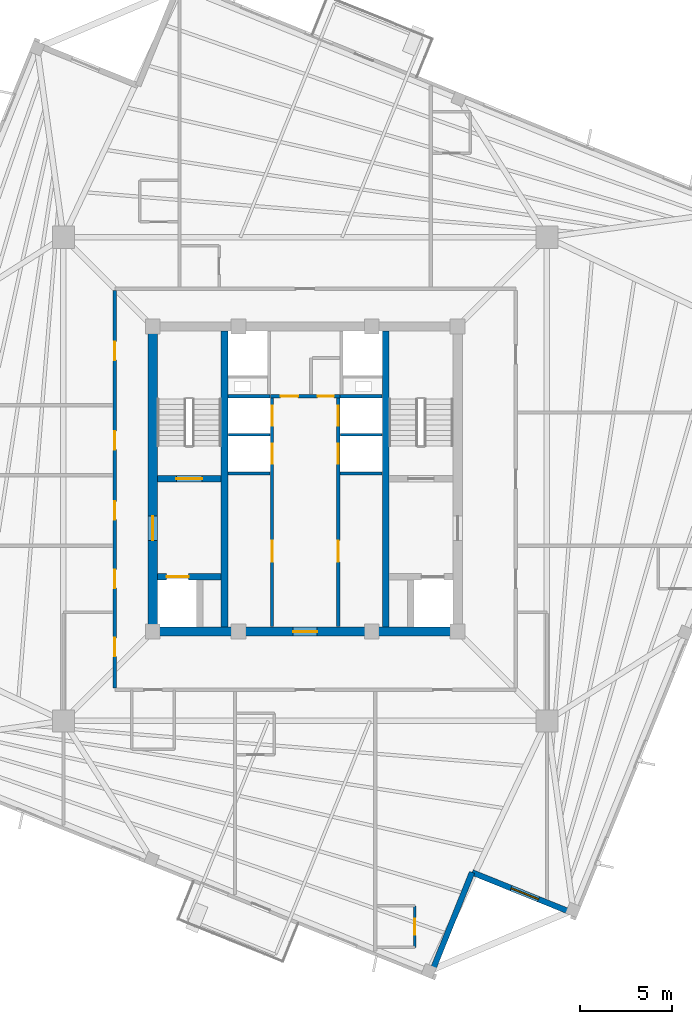
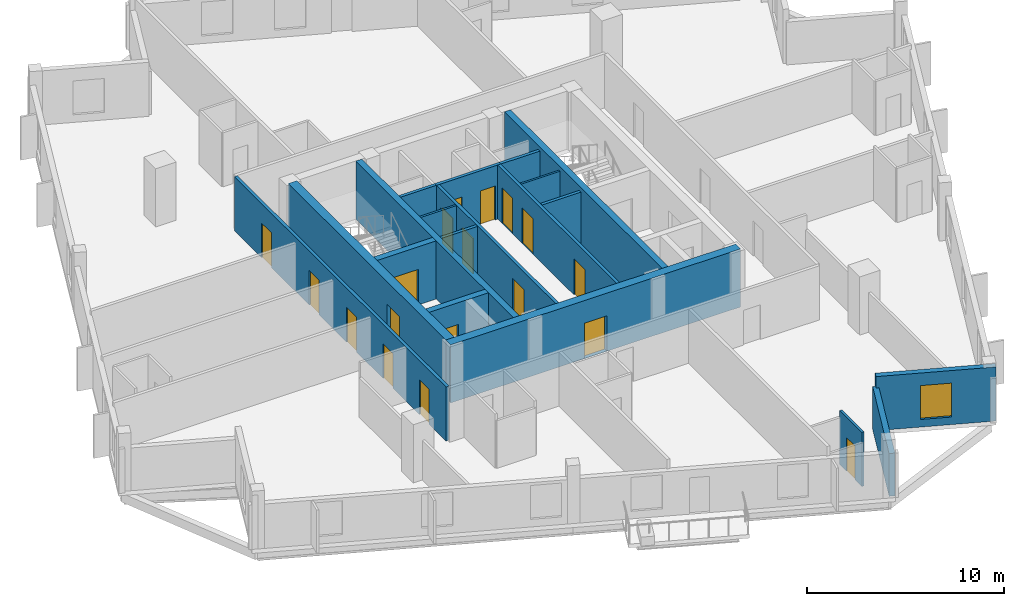
# One storey, part 3 of 8: 19 walls, 18 doors, 1 window, 19 openings.
"""IFC4 building model written with IfcOpenShell, lengths in metres."""

from ifc_helpers import new_model, si_unit, direction, frame, frame_2d, origin, place, context, subcontext, project, spatial, rectangle, extrude, source, transform, mapped, material, layer, layer_set, type_object, element, fill, save


model = new_model("IFC4")

# Units and contexts
model_context = context("Model", 3, precision=1e-05, world=origin(), true_north=direction((0.0, 1.0)))
body_context = subcontext(model_context, "Body", "Model", "MODEL_VIEW")
ifc_project = project(units=[si_unit("LENGTHUNIT", "METRE"), si_unit("AREAUNIT", "SQUARE_METRE"), si_unit("VOLUMEUNIT", "CUBIC_METRE"), si_unit("PLANEANGLEUNIT", "RADIAN"), si_unit("MASSUNIT", "GRAM", prefix="KILO"), si_unit("THERMODYNAMICTEMPERATUREUNIT", "KELVIN")], contexts=[model_context])

# Site, building, storey
site_placement = place(None, origin())
site = spatial("IfcSite", under=ifc_project, at=site_placement, CompositionType="ELEMENT")
building_placement = place(site_placement, origin())
building = spatial("IfcBuilding", under=site, at=building_placement, Name="Kosmvard Interchange Tower", CompositionType="ELEMENT")
storey_placement = place(building_placement, frame((0.0, 0.0, 265.199951171875)))
storey = spatial("IfcBuildingStorey", under=building, at=storey_placement, Name="L64", CompositionType="ELEMENT", Elevation=265.199951171875)

# Wall, openings, doors
ifc_material_1 = material(Name="Fire-rated gypsum partition system")
ifc_layer_1 = layer(ifc_material_1, 0.179931640625, Name="Fire-rated gypsum partition system")
ifc_layer_set_1 = layer_set([ifc_layer_1], Name="Fire-rated gypsum partition system")
wall_type_1 = type_object("IfcWallType", Name="Corridor & Hotel Compartment Partition 180", PredefinedType="PARTITIONING", material=ifc_layer_set_1)
wall_1_placement = place(storey_placement, frame((-1.7900390625, -7.97998046875, 0.0), z_axis=(0.0, 0.0, 1.0), x_axis=(0.0, 1.0, 0.0)))
wall_1 = element("IfcWall", 1, at=wall_1_placement, inside=storey, type_object=wall_type_1, Name="L64 West Lift Bank Front Wall", PredefinedType="PARTITIONING", context=body_context, shape_type="SweptSolid", body=[
    extrude(rectangle(XDim=12.3798828125, YDim=0.179931640625, at=frame_2d((6.18994140625, 0.0))), origin(), (0.0, 0.0, 1.0), 3.35009765625),
])
opening_1_placement = place(wall_1_placement, frame((8.800048828125, 0.0, 0.0)))
opening_1 = element("IfcOpeningElement", 2, at=opening_1_placement, cuts=wall_1, Name="Opening LD-PL-H1-L64", PredefinedType="OPENING", context=body_context, shape_type="SweptSolid", body=[
    extrude(rectangle(XDim=1.10009765625, YDim=2.199951171875, at=frame_2d((0.550048828125, 1.10009765625))), frame((0.0, 0.10009765625, 0.0), z_axis=(0.0, -1.0, 0.0), x_axis=(1.0, 0.0, 0.0)), (0.0, 0.0, 1.0), 0.199951171875),
])
opening_2_placement = place(wall_1_placement, frame((10.860107421875, 0.0, 0.0)))
opening_2 = element("IfcOpeningElement", 3, at=opening_2_placement, cuts=wall_1, Name="Opening LD-PL-H2-L64", PredefinedType="OPENING", context=body_context, shape_type="SweptSolid", body=[
    extrude(rectangle(XDim=1.10009765625, YDim=2.199951171875, at=frame_2d((0.550048828125, 1.10009765625))), frame((0.0, 0.10009765625, 0.0), z_axis=(0.0, -1.0, 0.0), x_axis=(1.0, 0.0, 0.0)), (0.0, 0.0, 1.0), 0.199951171875),
])
opening_3_placement = place(wall_1_placement, frame((3.5, 0.0, 0.0)))
opening_3 = element("IfcOpeningElement", 4, at=opening_3_placement, cuts=wall_1, Name="Opening L64-CD1", PredefinedType="OPENING", context=body_context, shape_type="SweptSolid", body=[
    extrude(rectangle(XDim=1.14990234375, YDim=2.25, at=frame_2d((0.574951171875, 1.125))), frame((0.0, 0.10009765625, 0.0), z_axis=(0.0, -1.0, 0.0), x_axis=(1.0, 0.0, 0.0)), (0.0, 0.0, 1.0), 0.199951171875),
])
ifc_material_2 = material(Name="Painted fire-rated steel leaf", Category="steel")
door_type_1 = type_object("IfcDoorType", Name="Plant & Riser Fire Door 1150x2250 EI60", OperationType="NOTDEFINED", PredefinedType="DOOR", material=ifc_material_2)
shared_shape_1 = source(origin(), body_context, "Body", "SweptSolid", [
    extrude(rectangle(XDim=1.14990234375, YDim=2.25, at=frame_2d((0.574951171875, 1.125))), frame((0.0, 0.02490234375, 0.0), z_axis=(0.0, -1.0, 0.0), x_axis=(1.0, 0.0, 0.0)), (0.0, 0.0, 1.0), 0.050048828125),
])
door_1_placement = place(opening_3_placement, origin())
door_1 = element("IfcDoor", 5, at=door_1_placement, inside=storey, type_object=door_type_1, Name="L64 Core Facility Store Door", OperationType="SINGLE_SWING_LEFT", OverallHeight=2.25, OverallWidth=1.14990234375, PredefinedType="DOOR", context=body_context, shape_type="MappedRepresentation", body=[
    mapped(shared_shape_1, transform((0.0, 0.0, 0.0), scale=1.0)),
])
fill(opening_3, door_1)
ifc_material_3 = material(Name="Brushed stainless steel sliding leaf", Category="steel")
door_type_2 = type_object("IfcDoorType", Name="Passenger Lift Sliding Landing Door 1100x2200 EI60", OperationType="DOUBLE_DOOR_SLIDING", PredefinedType="DOOR", material=ifc_material_3)
shared_shape_2 = source(origin(), body_context, "Body", "SweptSolid", [
    extrude(rectangle(XDim=1.10009765625, YDim=2.199951171875, at=frame_2d((0.550048828125, 1.10009765625))), frame((0.0, 0.02490234375, 0.0), z_axis=(0.0, -1.0, 0.0), x_axis=(1.0, 0.0, 0.0)), (0.0, 0.0, 1.0), 0.050048828125),
])
door_2_placement = place(opening_1_placement, frame((1.10009765625, 0.0, 0.0), z_axis=(0.0, 0.0, 1.0), x_axis=(-1.0, 0.0, 0.0)))
door_2 = element("IfcDoor", 6, at=door_2_placement, inside=storey, type_object=door_type_2, Name="Lift PL-H1 Landing Door L64", OperationType="DOUBLE_DOOR_SLIDING", OverallHeight=2.199951171875, OverallWidth=1.10009765625, PredefinedType="DOOR", context=body_context, shape_type="MappedRepresentation", body=[
    mapped(shared_shape_2, transform((0.0, 0.0, 0.0), scale=1.0)),
])
fill(opening_1, door_2)
door_3_placement = place(opening_2_placement, frame((1.10009765625, 0.0, 0.0), z_axis=(0.0, 0.0, 1.0), x_axis=(-1.0, 0.0, 0.0)))
door_3 = element("IfcDoor", 7, at=door_3_placement, inside=storey, type_object=door_type_2, Name="Lift PL-H2 Landing Door L64", OperationType="DOUBLE_DOOR_SLIDING", OverallHeight=2.199951171875, OverallWidth=1.10009765625, PredefinedType="DOOR", context=body_context, shape_type="MappedRepresentation", body=[
    mapped(shared_shape_2, transform((0.0, 0.0, 0.0), scale=1.0)),
])
fill(opening_2, door_3)

wall_2_placement = place(storey_placement, frame((1.7900390625, -7.97998046875, 0.0), z_axis=(0.0, 0.0, 1.0), x_axis=(0.0, 1.0, 0.0)))
wall_2 = element("IfcWall", 8, at=wall_2_placement, inside=storey, type_object=wall_type_1, Name="L64 East Lift Bank Front Wall", PredefinedType="PARTITIONING", context=body_context, shape_type="SweptSolid", body=[
    extrude(rectangle(XDim=12.3798828125, YDim=0.179931640625, at=frame_2d((6.18994140625, 0.0))), origin(), (0.0, 0.0, 1.0), 3.35009765625),
])
opening_4_placement = place(wall_2_placement, frame((8.800048828125, 0.0, 0.0)))
opening_4 = element("IfcOpeningElement", 9, at=opening_4_placement, cuts=wall_2, Name="Opening LD-PL-H3-L64", PredefinedType="OPENING", context=body_context, shape_type="SweptSolid", body=[
    extrude(rectangle(XDim=1.10009765625, YDim=2.199951171875, at=frame_2d((0.550048828125, 1.10009765625))), frame((0.0, 0.10009765625, 0.0), z_axis=(0.0, -1.0, 0.0), x_axis=(1.0, 0.0, 0.0)), (0.0, 0.0, 1.0), 0.199951171875),
])
opening_5_placement = place(wall_2_placement, frame((10.860107421875, 0.0, 0.0)))
opening_5 = element("IfcOpeningElement", 10, at=opening_5_placement, cuts=wall_2, Name="Opening LD-PL-H4-L64", PredefinedType="OPENING", context=body_context, shape_type="SweptSolid", body=[
    extrude(rectangle(XDim=1.10009765625, YDim=2.199951171875, at=frame_2d((0.550048828125, 1.10009765625))), frame((0.0, 0.10009765625, 0.0), z_axis=(0.0, -1.0, 0.0), x_axis=(1.0, 0.0, 0.0)), (0.0, 0.0, 1.0), 0.199951171875),
])
opening_6_placement = place(wall_2_placement, frame((3.5, 0.0, 0.0)))
opening_6 = element("IfcOpeningElement", 11, at=opening_6_placement, cuts=wall_2, Name="Opening L64-CD2", PredefinedType="OPENING", context=body_context, shape_type="SweptSolid", body=[
    extrude(rectangle(XDim=1.14990234375, YDim=2.25, at=frame_2d((0.574951171875, 1.125))), frame((0.0, 0.10009765625, 0.0), z_axis=(0.0, -1.0, 0.0), x_axis=(1.0, 0.0, 0.0)), (0.0, 0.0, 1.0), 0.199951171875),
])
door_4_placement = place(opening_6_placement, frame((1.14990234375, 0.0, 0.0), z_axis=(0.0, 0.0, 1.0), x_axis=(-1.0, 0.0, 0.0)))
door_4 = element("IfcDoor", 12, at=door_4_placement, inside=storey, type_object=door_type_1, Name="L64 Core BMS UPS Door", OperationType="SINGLE_SWING_RIGHT", OverallHeight=2.25, OverallWidth=1.14990234375, PredefinedType="DOOR", context=body_context, shape_type="MappedRepresentation", body=[
    mapped(shared_shape_1, transform((0.0, 0.0, 0.0), scale=1.0)),
])
fill(opening_6, door_4)
door_5_placement = place(opening_4_placement, origin())
door_5 = element("IfcDoor", 13, at=door_5_placement, inside=storey, type_object=door_type_2, Name="Lift PL-H3 Landing Door L64", OperationType="DOUBLE_DOOR_SLIDING", OverallHeight=2.199951171875, OverallWidth=1.10009765625, PredefinedType="DOOR", context=body_context, shape_type="MappedRepresentation", body=[
    mapped(shared_shape_2, transform((0.0, 0.0, 0.0), scale=1.0)),
])
fill(opening_4, door_5)
door_6_placement = place(opening_5_placement, origin())
door_6 = element("IfcDoor", 14, at=door_6_placement, inside=storey, type_object=door_type_2, Name="Lift PL-H4 Landing Door L64", OperationType="DOUBLE_DOOR_SLIDING", OverallHeight=2.199951171875, OverallWidth=1.10009765625, PredefinedType="DOOR", context=body_context, shape_type="MappedRepresentation", body=[
    mapped(shared_shape_2, transform((0.0, 0.0, 0.0), scale=1.0)),
])
fill(opening_5, door_6)

wall_3_placement = place(storey_placement, frame((-1.8798828125, 4.489990234375, 0.0), z_axis=(0.0, 0.0, 1.0), x_axis=(1.0, 0.0, 0.0)))
wall_3 = element("IfcWall", 15, at=wall_3_placement, inside=storey, type_object=wall_type_1, Name="L64 Lift Lobby North Partition", PredefinedType="PARTITIONING", context=body_context, shape_type="SweptSolid", body=[
    extrude(rectangle(XDim=3.759765625, YDim=0.179931640625, at=frame_2d((1.8798828125, 0.0))), origin(), (0.0, 0.0, 1.0), 3.35009765625),
])
opening_7_placement = place(wall_3_placement, frame((0.550048828125, 0.0, 0.0)))
opening_7 = element("IfcOpeningElement", 16, at=opening_7_placement, cuts=wall_3, Name="Opening L64-KD1", PredefinedType="OPENING", context=body_context, shape_type="SweptSolid", body=[
    extrude(rectangle(XDim=0.949951171875, YDim=2.10009765625, at=frame_2d((0.47509765625, 1.050048828125))), frame((0.0, 0.10009765625, 0.0), z_axis=(0.0, -1.0, 0.0), x_axis=(1.0, 0.0, 0.0)), (0.0, 0.0, 1.0), 0.199951171875),
])
opening_8_placement = place(wall_3_placement, frame((2.56005859375, 0.0, 0.0)))
opening_8 = element("IfcOpeningElement", 17, at=opening_8_placement, cuts=wall_3, Name="Opening L64-KD2", PredefinedType="OPENING", context=body_context, shape_type="SweptSolid", body=[
    extrude(rectangle(XDim=0.8798828125, YDim=2.10009765625, at=frame_2d((0.43994140625, 1.050048828125))), frame((0.0, 0.10009765625, 0.0), z_axis=(0.0, -1.0, 0.0), x_axis=(1.0, 0.0, 0.0)), (0.0, 0.0, 1.0), 0.199951171875),
])
ifc_material_4 = material(Name="Painted fire-rated timber leaf", Category="wood")
door_type_3 = type_object("IfcDoorType", Name="Core Service Fire Door 950x2100 EI30", OperationType="NOTDEFINED", PredefinedType="DOOR", material=ifc_material_4)
shared_shape_3 = source(origin(), body_context, "Body", "SweptSolid", [
    extrude(rectangle(XDim=0.949951171875, YDim=2.10009765625, at=frame_2d((0.47509765625, 1.050048828125))), frame((0.0, 0.02490234375, 0.0), z_axis=(0.0, -1.0, 0.0), x_axis=(1.0, 0.0, 0.0)), (0.0, 0.0, 1.0), 0.050048828125),
])
door_7_placement = place(opening_7_placement, origin())
door_7 = element("IfcDoor", 18, at=door_7_placement, inside=storey, type_object=door_type_3, Name="L64 Core Archive Store Door", OperationType="SINGLE_SWING_LEFT", OverallHeight=2.10009765625, OverallWidth=0.949951171875, PredefinedType="DOOR", context=body_context, shape_type="MappedRepresentation", body=[
    mapped(shared_shape_3, transform((0.0, 0.0, 0.0), scale=1.0)),
])
fill(opening_7, door_7)
door_type_4 = type_object("IfcDoorType", Name="Core Cupboard Fire Door 880x2100 EI30", OperationType="NOTDEFINED", PredefinedType="DOOR", material=ifc_material_4)
shared_shape_4 = source(origin(), body_context, "Body", "SweptSolid", [
    extrude(rectangle(XDim=0.8798828125, YDim=2.10009765625, at=frame_2d((0.43994140625, 1.050048828125))), frame((0.0, 0.02490234375, 0.0), z_axis=(0.0, -1.0, 0.0), x_axis=(1.0, 0.0, 0.0)), (0.0, 0.0, 1.0), 0.050048828125),
])
door_8_placement = place(opening_8_placement, origin())
door_8 = element("IfcDoor", 19, at=door_8_placement, inside=storey, type_object=door_type_4, Name="L64 Core Supplies Cupboard Door", OperationType="SINGLE_SWING_RIGHT", OverallHeight=2.10009765625, OverallWidth=0.8798828125, PredefinedType="DOOR", context=body_context, shape_type="MappedRepresentation", body=[
    mapped(shared_shape_4, transform((0.0, 0.0, 0.0), scale=1.0)),
])
fill(opening_8, door_8)

wall_4_placement = place(storey_placement, frame((-10.300048828125, -11.300048828125, 0.0), z_axis=(0.0, 0.0, 1.0), x_axis=(0.0, 1.0, 0.0)))
wall_4 = element("IfcWall", 20, at=wall_4_placement, inside=storey, type_object=wall_type_1, Name="L64 Corridor Wall CW", PredefinedType="PARTITIONING", context=body_context, shape_type="SweptSolid", body=[
    extrude(rectangle(XDim=21.5, YDim=0.179931640625, at=frame_2d((10.75, 0.0))), origin(), (0.0, 0.0, 1.0), 3.35009765625),
])
opening_9_placement = place(wall_4_placement, frame((12.89990234375, 0.0, 0.0)))
opening_9 = element("IfcOpeningElement", 21, at=opening_9_placement, cuts=wall_4, Name="Opening L64-D02", PredefinedType="OPENING", context=body_context, shape_type="SweptSolid", body=[
    extrude(rectangle(XDim=1.0, YDim=2.14990234375, at=frame_2d((0.5, 1.074951171875))), frame((0.0, 0.10009765625, 0.0), z_axis=(0.0, -1.0, 0.0), x_axis=(1.0, 0.0, 0.0)), (0.0, 0.0, 1.0), 0.199951171875),
])
opening_10_placement = place(wall_4_placement, frame((17.735595703125, 0.0, 0.0)))
opening_10 = element("IfcOpeningElement", 22, at=opening_10_placement, cuts=wall_4, Name="Opening L64-D03", PredefinedType="OPENING", context=body_context, shape_type="SweptSolid", body=[
    extrude(rectangle(XDim=1.0, YDim=2.14990234375, at=frame_2d((0.5, 1.074951171875))), frame((0.0, 0.10009765625, 0.0), z_axis=(0.0, -1.0, 0.0), x_axis=(1.0, 0.0, 0.0)), (0.0, 0.0, 1.0), 0.199951171875),
])
opening_11_placement = place(wall_4_placement, frame((1.71435546875, 0.0, 0.0)))
opening_11 = element("IfcOpeningElement", 23, at=opening_11_placement, cuts=wall_4, Name="Opening L64-D17", PredefinedType="OPENING", context=body_context, shape_type="SweptSolid", body=[
    extrude(rectangle(XDim=1.0, YDim=2.14990234375, at=frame_2d((0.5, 1.074951171875))), frame((0.0, 0.10009765625, 0.0), z_axis=(0.0, -1.0, 0.0), x_axis=(1.0, 0.0, 0.0)), (0.0, 0.0, 1.0), 0.199951171875),
])
opening_12_placement = place(wall_4_placement, frame((5.39990234375, 0.0, 0.0)))
opening_12 = element("IfcOpeningElement", 24, at=opening_12_placement, cuts=wall_4, Name="Opening L64-D18", PredefinedType="OPENING", context=body_context, shape_type="SweptSolid", body=[
    extrude(rectangle(XDim=1.0, YDim=2.14990234375, at=frame_2d((0.5, 1.074951171875))), frame((0.0, 0.10009765625, 0.0), z_axis=(0.0, -1.0, 0.0), x_axis=(1.0, 0.0, 0.0)), (0.0, 0.0, 1.0), 0.199951171875),
])
opening_13_placement = place(wall_4_placement, frame((9.10009765625, 0.0, 0.0)))
opening_13 = element("IfcOpeningElement", 25, at=opening_13_placement, cuts=wall_4, Name="Opening L64-D19", PredefinedType="OPENING", context=body_context, shape_type="SweptSolid", body=[
    extrude(rectangle(XDim=1.0, YDim=2.14990234375, at=frame_2d((0.5, 1.074951171875))), frame((0.0, 0.10009765625, 0.0), z_axis=(0.0, -1.0, 0.0), x_axis=(1.0, 0.0, 0.0)), (0.0, 0.0, 1.0), 0.199951171875),
])
ifc_material_5 = material(Name="Engineered oak fire-rated timber", Category="wood")
door_type_5 = type_object("IfcDoorType", Name="Hotel Guestroom Entrance Door 1000x2150 EI60", OperationType="NOTDEFINED", PredefinedType="DOOR", material=ifc_material_5)
shared_shape_5 = source(origin(), body_context, "Body", "SweptSolid", [
    extrude(rectangle(XDim=1.0, YDim=2.14990234375, at=frame_2d((0.5, 1.074951171875))), frame((0.0, 0.02490234375, 0.0), z_axis=(0.0, -1.0, 0.0), x_axis=(1.0, 0.0, 0.0)), (0.0, 0.0, 1.0), 0.050048828125),
])
door_9_placement = place(opening_9_placement, origin())
door_9 = element("IfcDoor", 26, at=door_9_placement, inside=storey, type_object=door_type_5, Name="L64 Hotel Sky Panorama Lounge Door", OperationType="SINGLE_SWING_RIGHT", OverallHeight=2.14990234375, OverallWidth=1.0, PredefinedType="DOOR", context=body_context, shape_type="MappedRepresentation", body=[
    mapped(shared_shape_5, transform((0.0, 0.0, 0.0), scale=1.0)),
])
fill(opening_9, door_9)
door_10_placement = place(opening_10_placement, origin())
door_10 = element("IfcDoor", 27, at=door_10_placement, inside=storey, type_object=door_type_5, Name="L64 Hotel North-East Junior Suite 1 Door", OperationType="SINGLE_SWING_LEFT", OverallHeight=2.14990234375, OverallWidth=1.0, PredefinedType="DOOR", context=body_context, shape_type="MappedRepresentation", body=[
    mapped(shared_shape_5, transform((0.0, 0.0, 0.0), scale=1.0)),
])
fill(opening_10, door_10)
door_11_placement = place(opening_11_placement, origin())
door_11 = element("IfcDoor", 28, at=door_11_placement, inside=storey, type_object=door_type_5, Name="L64 Housekeeping and Linen Room Door", OperationType="SINGLE_SWING_LEFT", OverallHeight=2.14990234375, OverallWidth=1.0, PredefinedType="DOOR", context=body_context, shape_type="MappedRepresentation", body=[
    mapped(shared_shape_5, transform((0.0, 0.0, 0.0), scale=1.0)),
])
fill(opening_11, door_11)
door_12_placement = place(opening_12_placement, origin())
door_12 = element("IfcDoor", 29, at=door_12_placement, inside=storey, type_object=door_type_5, Name="L64 Hotel Room Service Pantry Door", OperationType="SINGLE_SWING_RIGHT", OverallHeight=2.14990234375, OverallWidth=1.0, PredefinedType="DOOR", context=body_context, shape_type="MappedRepresentation", body=[
    mapped(shared_shape_5, transform((0.0, 0.0, 0.0), scale=1.0)),
])
fill(opening_12, door_12)
door_13_placement = place(opening_13_placement, origin())
door_13 = element("IfcDoor", 30, at=door_13_placement, inside=storey, type_object=door_type_5, Name="L64 Hotel King Guest Room 5 Door", OperationType="SINGLE_SWING_LEFT", OverallHeight=2.14990234375, OverallWidth=1.0, PredefinedType="DOOR", context=body_context, shape_type="MappedRepresentation", body=[
    mapped(shared_shape_5, transform((0.0, 0.0, 0.0), scale=1.0)),
])
fill(opening_13, door_13)

# Walls
ifc_material_6 = material(Name="Concrete blockwork masonry", Category="masonry")
ifc_layer_2 = layer(ifc_material_6, 0.179931640625, Name="Concrete blockwork masonry")
ifc_layer_set_2 = layer_set([ifc_layer_2], Name="Concrete blockwork masonry")
wall_type_2 = type_object("IfcWallType", Name="Riser & Lift Bank Divider Wall 180", PredefinedType="PARTITIONING", material=ifc_layer_set_2)
for number, where, z_axis, x_axis, name in (
    (31, (-4.169921875, 0.300048828125, 0.0), (0.0, 0.0, 1.0), (1.0, 0.0, 0.0), "L64 West Bank Divider BD2"),
    (32, (1.889892578125, 0.300048828125, 0.0), (0.0, 0.0, 1.0), (1.0, 0.0, 0.0), "L64 East Bank Divider BD2"),
    (33, (-4.169921875, 4.489990234375, 0.0), (0.0, 0.0, 1.0), (1.0, 0.0, 0.0), "L64 West Bank Divider BD3"),
    (34, (1.889892578125, 4.489990234375, 0.0), (0.0, 0.0, 1.0), (1.0, 0.0, 0.0), "L64 East Bank Divider BD3"),
):
    element("IfcWall", number, at=place(storey_placement, frame(where, z_axis=z_axis, x_axis=x_axis)), inside=storey, type_object=wall_type_2, Name=name, PredefinedType="PARTITIONING", context=body_context, shape_type="SweptSolid", body=[
        extrude(rectangle(XDim=2.280029296875, YDim=0.179931640625, at=frame_2d((1.14013671875, 0.0))), origin(), (0.0, 0.0, 1.0), 3.35009765625),
    ])
ifc_material_7 = material(Name="Fire-rated gypsum shaftwall system")
ifc_layer_3 = layer(ifc_material_7, 0.1201171875, Name="Fire-rated gypsum shaftwall system")
ifc_layer_set_3 = layer_set([ifc_layer_3], Name="Fire-rated gypsum shaftwall system")
wall_type_3 = type_object("IfcWallType", Name="Shaft & Riser Fire Partition 120 EI60", PredefinedType="PARTITIONING", material=ifc_layer_set_3)
for number, where, z_axis, x_axis, name in (
    (35, (-4.159912109375, 2.39990234375, 0.0), (0.0, 0.0, 1.0), (1.0, 0.0, 0.0), "L64 Shaft Divider PL-H1"),
    (36, (1.89990234375, 2.39990234375, 0.0), (0.0, 0.0, 1.0), (1.0, 0.0, 0.0), "L64 Shaft Divider PL-H3"),
):
    element("IfcWall", number, at=place(storey_placement, frame(where, z_axis=z_axis, x_axis=x_axis)), inside=storey, type_object=wall_type_3, Name=name, PredefinedType="PARTITIONING", context=body_context, shape_type="SweptSolid", body=[
        extrude(rectangle(XDim=2.260009765625, YDim=0.1201171875, at=frame_2d((1.1298828125, 0.0))), origin(), (0.0, 0.0, 1.0), 3.35009765625),
    ])
ifc_material_8 = material(Name="Concrete C60/75", Category="concrete")
ifc_layer_4 = layer(ifc_material_8, 0.360107421875, Name="Concrete C60/75")
ifc_layer_set_4 = layer_set([ifc_layer_4], Name="Concrete C60/75")
wall_type_4 = type_object("IfcWallType", Name="Stair & Lift Shaft Shear Wall 360 C60/75", PredefinedType="SHEAR", material=ifc_layer_set_4)
for number, where, z_axis, x_axis, name in (
    (37, (-4.360107421875, -8.0, 0.0), (0.0, 0.0, 1.0), (0.0, 1.0, 0.0), "L64 Shaft Shear Wall SW-W"),
    (38, (4.360107421875, -8.0, 0.0), (0.0, 0.0, 1.0), (0.0, 1.0, 0.0), "L64 Shaft Shear Wall SW-E"),
):
    element("IfcWall", number, at=place(storey_placement, frame(where, z_axis=z_axis, x_axis=x_axis)), inside=storey, type_object=wall_type_4, Name=name, PredefinedType="SHEAR", context=body_context, shape_type="SweptSolid", body=[
        extrude(rectangle(XDim=16.0, YDim=0.360107421875, at=frame_2d((8.0, 0.0))), origin(), (0.0, 0.0, 1.0), 3.60009765625),
    ])

# Wall, opening, door
wall_5_placement = place(storey_placement, frame((-8.0, 0.02001953125, 0.0), z_axis=(0.0, 0.0, 1.0), x_axis=(1.0, 0.0, 0.0)))
wall_5 = element("IfcWall", 39, at=wall_5_placement, inside=storey, type_object=wall_type_4, Name="L64 Shaft Shear Wall SW-ST1", PredefinedType="SHEAR", context=body_context, shape_type="SweptSolid", body=[
    extrude(rectangle(XDim=3.4599609375, YDim=0.360107421875, at=frame_2d((1.72998046875, 0.0))), origin(), (0.0, 0.0, 1.0), 3.60009765625),
])
opening_14_placement = place(wall_5_placement, frame((1.030029296875, 0.0, 0.0)))
opening_14 = element("IfcOpeningElement", 40, at=opening_14_placement, cuts=wall_5, Name="Opening L64-SD1", PredefinedType="OPENING", context=body_context, shape_type="SweptSolid", body=[
    extrude(rectangle(XDim=1.39990234375, YDim=2.199951171875, at=frame_2d((0.699951171875, 1.10009765625))), frame((0.0, 0.18994140625, 0.0), z_axis=(0.0, -1.0, 0.0), x_axis=(1.0, 0.0, 0.0)), (0.0, 0.0, 1.0), 0.380126953125),
])
door_type_6 = type_object("IfcDoorType", Name="Protected Stair Door 1400x2200 FD60S", OperationType="NOTDEFINED", PredefinedType="DOOR", material=ifc_material_2)
shared_shape_6 = source(origin(), body_context, "Body", "SweptSolid", [
    extrude(rectangle(XDim=1.39990234375, YDim=2.199951171875, at=frame_2d((0.699951171875, 1.10009765625))), frame((0.0, 0.02490234375, 0.0), z_axis=(0.0, -1.0, 0.0), x_axis=(1.0, 0.0, 0.0)), (0.0, 0.0, 1.0), 0.050048828125),
])
door_14_placement = place(opening_14_placement, origin())
door_14 = element("IfcDoor", 41, at=door_14_placement, inside=storey, type_object=door_type_6, Name="L64 Stair ST-1 Enclosure Door", OperationType="SINGLE_SWING_LEFT", OverallHeight=2.199951171875, OverallWidth=1.39990234375, PredefinedType="DOOR", context=body_context, shape_type="MappedRepresentation", body=[
    mapped(shared_shape_6, transform((0.0, 0.0, 0.0), scale=1.0)),
])
fill(opening_14, door_14)

wall_6_placement = place(storey_placement, frame((-8.0, -5.280029296875, 0.0), z_axis=(0.0, 0.0, 1.0), x_axis=(1.0, 0.0, 0.0)))
wall_6 = element("IfcWall", 42, at=wall_6_placement, inside=storey, type_object=wall_type_4, Name="L64 Shaft Shear Wall SW-FF1", PredefinedType="SHEAR", context=body_context, shape_type="SweptSolid", body=[
    extrude(rectangle(XDim=3.4599609375, YDim=0.360107421875, at=frame_2d((1.72998046875, 0.0))), origin(), (0.0, 0.0, 1.0), 3.60009765625),
])
opening_15_placement = place(wall_6_placement, frame((0.5, 0.0, 0.0)))
opening_15 = element("IfcOpeningElement", 43, at=opening_15_placement, cuts=wall_6, Name="Opening LD-FF-1-L64", PredefinedType="OPENING", context=body_context, shape_type="SweptSolid", body=[
    extrude(rectangle(XDim=1.199951171875, YDim=2.25, at=frame_2d((0.60009765625, 1.125))), frame((0.0, 0.18994140625, 0.0), z_axis=(0.0, -1.0, 0.0), x_axis=(1.0, 0.0, 0.0)), (0.0, 0.0, 1.0), 0.380126953125),
])
door_type_7 = type_object("IfcDoorType", Name="Firefighting Lift Sliding Landing Door 1200x2250 EI120", OperationType="DOUBLE_DOOR_SLIDING", PredefinedType="DOOR", material=ifc_material_3)
shared_shape_7 = source(origin(), body_context, "Body", "SweptSolid", [
    extrude(rectangle(XDim=1.199951171875, YDim=2.25, at=frame_2d((0.60009765625, 1.125))), frame((0.0, 0.02490234375, 0.0), z_axis=(0.0, -1.0, 0.0), x_axis=(1.0, 0.0, 0.0)), (0.0, 0.0, 1.0), 0.050048828125),
])
door_15_placement = place(opening_15_placement, origin())
door_15 = element("IfcDoor", 44, at=door_15_placement, inside=storey, type_object=door_type_7, Name="Lift FF-1 Landing Door L64", OperationType="DOUBLE_DOOR_SLIDING", OverallHeight=2.25, OverallWidth=1.199951171875, PredefinedType="DOOR", context=body_context, shape_type="MappedRepresentation", body=[
    mapped(shared_shape_7, transform((0.0, 0.0, 0.0), scale=1.0)),
])
fill(opening_15, door_15)

ifc_layer_5 = layer(ifc_material_8, 0.5, Name="Concrete C60/75")
ifc_layer_set_5 = layer_set([ifc_layer_5], Name="Concrete C60/75")
wall_type_5 = type_object("IfcWallType", Name="Upper Core Shear Wall 500 C60/75", PredefinedType="SHEAR", material=ifc_layer_set_5)
wall_7_placement = place(storey_placement, frame((-8.5, -8.25, 0.0), z_axis=(0.0, 0.0, 1.0), x_axis=(1.0, 0.0, 0.0)))
wall_7 = element("IfcWall", 45, at=wall_7_placement, inside=storey, type_object=wall_type_5, Name="L64 Core Shear Wall CW-S", PredefinedType="SHEAR", context=body_context, shape_type="SweptSolid", body=[
    extrude(rectangle(XDim=17.0, YDim=0.5, at=frame_2d((8.5, 0.0))), origin(), (0.0, 0.0, 1.0), 3.60009765625),
])
opening_16_placement = place(wall_7_placement, frame((7.85009765625, 0.0, 0.0)))
opening_16 = element("IfcOpeningElement", 46, at=opening_16_placement, cuts=wall_7, Name="Opening L64-LD0", PredefinedType="OPENING", context=body_context, shape_type="SweptSolid", body=[
    extrude(rectangle(XDim=1.300048828125, YDim=2.199951171875, at=frame_2d((0.64990234375, 1.10009765625))), frame((0.0, 0.260009765625, 0.0), z_axis=(0.0, -1.0, 0.0), x_axis=(1.0, 0.0, 0.0)), (0.0, 0.0, 1.0), 0.52001953125),
])
door_type_8 = type_object("IfcDoorType", Name="Firefighting Lobby Door 1300x2200 EI60", OperationType="NOTDEFINED", PredefinedType="DOOR", material=ifc_material_2)
shared_shape_8 = source(origin(), body_context, "Body", "SweptSolid", [
    extrude(rectangle(XDim=1.300048828125, YDim=2.199951171875, at=frame_2d((0.64990234375, 1.10009765625))), frame((0.0, 0.02490234375, 0.0), z_axis=(0.0, -1.0, 0.0), x_axis=(1.0, 0.0, 0.0)), (0.0, 0.0, 1.0), 0.050048828125),
])
door_16_placement = place(opening_16_placement, frame((1.300048828125, 0.0, 0.0), z_axis=(0.0, 0.0, 1.0), x_axis=(-1.0, 0.0, 0.0)))
door_16 = element("IfcDoor", 47, at=door_16_placement, inside=storey, type_object=door_type_8, Name="L64 Passenger Lift Lobby South Door", OperationType="SINGLE_SWING_RIGHT", OverallHeight=2.199951171875, OverallWidth=1.300048828125, PredefinedType="DOOR", context=body_context, shape_type="MappedRepresentation", body=[
    mapped(shared_shape_8, transform((0.0, 0.0, 0.0), scale=1.0)),
])
fill(opening_16, door_16)

wall_8_placement = place(storey_placement, frame((-8.25, -8.0, 0.0), z_axis=(0.0, 0.0, 1.0), x_axis=(0.0, 1.0, 0.0)))
wall_8 = element("IfcWall", 48, at=wall_8_placement, inside=storey, type_object=wall_type_5, Name="L64 Core Shear Wall CW-W", PredefinedType="SHEAR", context=body_context, shape_type="SweptSolid", body=[
    extrude(rectangle(XDim=16.0, YDim=0.5, at=frame_2d((8.0, 0.0))), origin(), (0.0, 0.0, 1.0), 3.60009765625),
])
opening_17_placement = place(wall_8_placement, frame((4.68994140625, 0.0, 0.0)))
opening_17 = element("IfcOpeningElement", 49, at=opening_17_placement, cuts=wall_8, Name="Opening L64-FD1", PredefinedType="OPENING", context=body_context, shape_type="SweptSolid", body=[
    extrude(rectangle(XDim=1.300048828125, YDim=2.199951171875, at=frame_2d((0.64990234375, 1.10009765625))), frame((0.0, 0.260009765625, 0.0), z_axis=(0.0, -1.0, 0.0), x_axis=(1.0, 0.0, 0.0)), (0.0, 0.0, 1.0), 0.52001953125),
])
door_17_placement = place(opening_17_placement, frame((1.300048828125, 0.0, 0.0), z_axis=(0.0, 0.0, 1.0), x_axis=(-1.0, 0.0, 0.0)))
door_17 = element("IfcDoor", 50, at=door_17_placement, inside=storey, type_object=door_type_8, Name="L64 Firefighting Lobby West Door", OperationType="SINGLE_SWING_LEFT", OverallHeight=2.199951171875, OverallWidth=1.300048828125, PredefinedType="DOOR", context=body_context, shape_type="MappedRepresentation", body=[
    mapped(shared_shape_8, transform((0.0, 0.0, 0.0), scale=1.0)),
])
fill(opening_17, door_17)

# Wall
ifc_material_9 = material(Name="Precast concrete C45/55", Category="concrete")
ifc_layer_6 = layer(ifc_material_9, 0.31005859375, Name="Precast concrete C45/55")
ifc_layer_set_6 = layer_set([ifc_layer_6], Name="Precast concrete C45/55")
wall_type_6 = type_object("IfcWallType", Name="Upper Tower Precast Pier Wall 310 C45/55", PredefinedType="STANDARD", material=ifc_layer_set_6)
wall_9_placement = place(storey_placement, frame((6.7841796875, -26.8408203125, 0.0), z_axis=(0.0, 0.0, 1.0), x_axis=(0.374636620962, 0.927171722085, 0.0)))
element("IfcWall", 51, at=wall_9_placement, inside=storey, type_object=wall_type_6, Name="L64 Precast Facade Wall N-SW1", PredefinedType="STANDARD", context=body_context, shape_type="SweptSolid", body=[
    extrude(rectangle(XDim=6.0, YDim=0.31005859375, at=frame_2d((3.0, 0.0))), origin(), (0.0, 0.0, 1.0), 2.650146484375),
])

# Wall, opening, window
wall_10_placement = place(storey_placement, frame((9.031982421875, -21.27783203125, 0.0), z_axis=(0.0, 0.0, 1.0), x_axis=(0.927185411764, -0.374602739196, 0.0)))
wall_10 = element("IfcWall", 52, at=wall_10_placement, inside=storey, type_object=wall_type_6, Name="L64 Precast Facade Wall N-SW2", PredefinedType="STANDARD", context=body_context, shape_type="SweptSolid", body=[
    extrude(rectangle(XDim=6.155029296875, YDim=0.31005859375, at=frame_2d((3.07763671875, 0.0))), origin(), (0.0, 0.0, 1.0), 3.35009765625),
])
opening_18_placement = place(wall_10_placement, frame((2.277587890625, 0.0, 0.469970703125)))
opening_18 = element("IfcOpeningElement", 53, at=opening_18_placement, cuts=wall_10, Name="Opening L64-W24", PredefinedType="OPENING", context=body_context, shape_type="SweptSolid", body=[
    extrude(rectangle(XDim=1.60009765625, YDim=2.10009765625, at=frame_2d((0.800048828125, 1.050048828125))), frame((0.0, 0.1650390625, 0.0), z_axis=(0.0, -1.0, 0.0), x_axis=(1.0, 0.0, 0.0)), (0.0, 0.0, 1.0), 0.330078125),
])
ifc_material_10 = material(Name="Low-E acoustic double glazing", Category="glass")
window_type = type_object("IfcWindowType", Name="Zone 5 Hotel Punched Window 1600x2100", PartitioningType="SINGLE_PANEL", PredefinedType="WINDOW", material=ifc_material_10)
shared_shape_9 = source(origin(), body_context, "Body", "SweptSolid", [
    extrude(rectangle(XDim=1.60009765625, YDim=2.10009765625, at=frame_2d((0.800048828125, 1.050048828125))), frame((0.0, 0.030029296875, 0.0), z_axis=(0.0, -1.0, 0.0), x_axis=(1.0, 0.0, 0.0)), (0.0, 0.0, 1.0), 0.06005859375),
])
window_placement = place(opening_18_placement, origin())
window = element("IfcWindow", 54, at=window_placement, inside=storey, type_object=window_type, Name="L64 Corner Notch Window 24", OverallHeight=2.10009765625, OverallWidth=1.60009765625, PartitioningType="SINGLE_PANEL", PredefinedType="WINDOW", context=body_context, shape_type="MappedRepresentation", body=[
    mapped(shared_shape_9, transform((0.0, 0.0, 0.0), scale=1.0)),
])
fill(opening_18, window)

# Wall, opening, door
ifc_material_11 = material(Name="Moisture-resistant gypsum partition")
ifc_layer_7 = layer(ifc_material_11, 0.135009765625, Name="Moisture-resistant gypsum partition")
ifc_layer_set_7 = layer_set([ifc_layer_7], Name="Moisture-resistant gypsum partition")
wall_type_7 = type_object("IfcWallType", Name="Wet Room Moisture-Resistant Partition 135", PredefinedType="PARTITIONING", material=ifc_layer_set_7)
wall_11_placement = place(storey_placement, frame((5.93994140625, -25.341552734375, 0.0), z_axis=(0.0, 0.0, 1.0), x_axis=(0.0, 1.0, 0.0)))
wall_11 = element("IfcWall", 55, at=wall_11_placement, inside=storey, type_object=wall_type_7, Name="L64 En-Suite Partition HGR4-E", PredefinedType="PARTITIONING", context=body_context, shape_type="SweptSolid", body=[
    extrude(rectangle(XDim=2.25, YDim=0.135009765625, at=frame_2d((1.125, 0.0))), origin(), (0.0, 0.0, 1.0), 3.35009765625),
])
opening_19_placement = place(wall_11_placement, frame((0.68505859375, 0.0, 0.0)))
opening_19 = element("IfcOpeningElement", 56, at=opening_19_placement, cuts=wall_11, Name="Opening L64-ED14", PredefinedType="OPENING", context=body_context, shape_type="SweptSolid", body=[
    extrude(rectangle(XDim=0.8798828125, YDim=2.10009765625, at=frame_2d((0.43994140625, 1.050048828125))), frame((0.0, 0.07763671875, 0.0), z_axis=(0.0, -1.0, 0.0), x_axis=(1.0, 0.0, 0.0)), (0.0, 0.0, 1.0), 0.155029296875),
])
ifc_material_12 = material(Name="Laminated moisture-resistant timber", Category="wood")
door_type_9 = type_object("IfcDoorType", Name="En-Suite & Washroom Door 880x2100", OperationType="NOTDEFINED", PredefinedType="DOOR", material=ifc_material_12)
door_18_placement = place(opening_19_placement, origin())
door_18 = element("IfcDoor", 57, at=door_18_placement, inside=storey, type_object=door_type_9, Name="L64 HGR4 En-Suite Door", OperationType="SINGLE_SWING_LEFT", OverallHeight=2.10009765625, OverallWidth=0.8798828125, PredefinedType="DOOR", context=body_context, shape_type="MappedRepresentation", body=[
    mapped(shared_shape_4, transform((0.0, 0.0, 0.0), scale=1.0)),
])
fill(opening_19, door_18)

save(model, "model.ifc")
